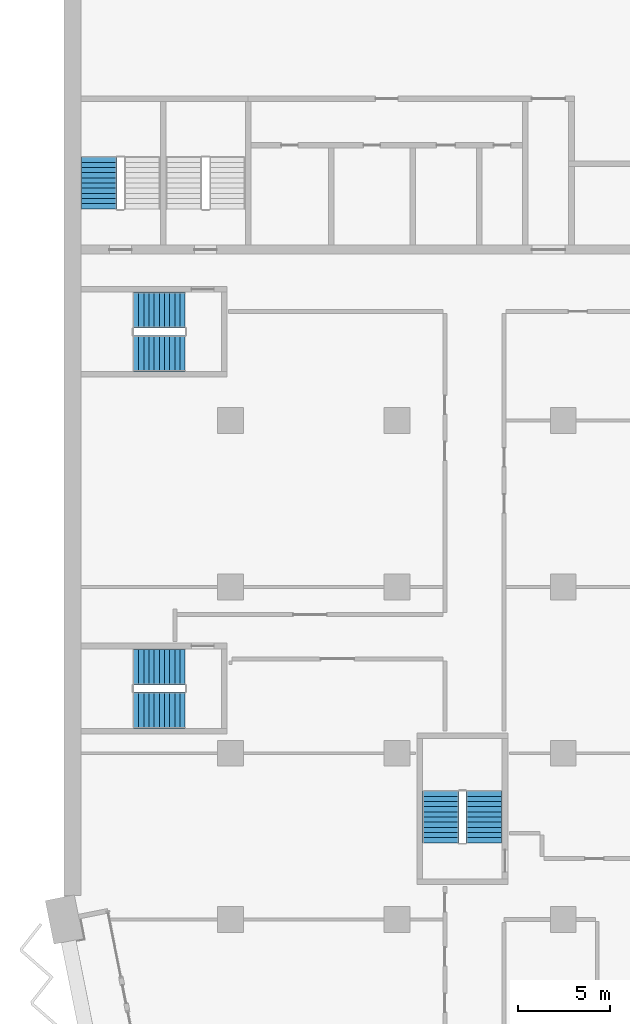
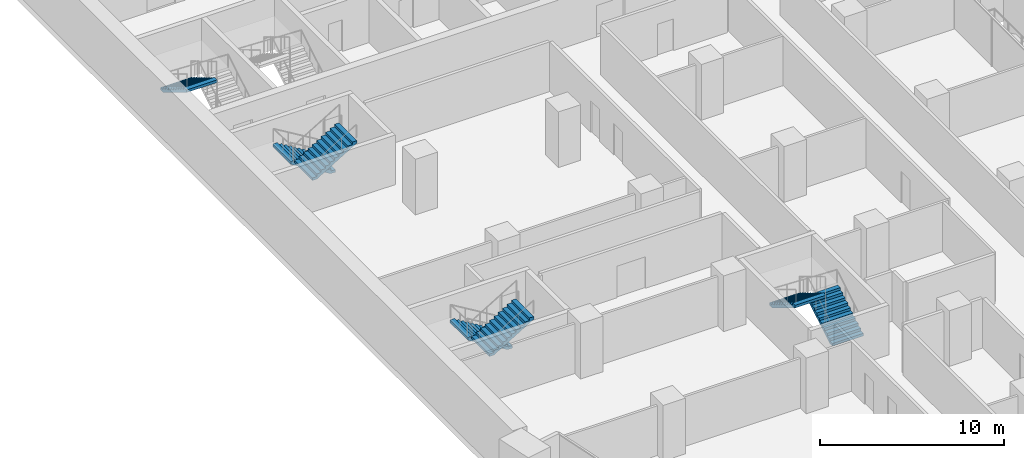
# One storey, part 19 of 28: 7 stair flights, 4 elements without a shape of their own.
"""IFC4 building model written with IfcOpenShell, lengths in metres."""

import ifcopenshell
import ifcopenshell.guid

model = None  # the IFC model being written
_history = None  # IfcOwnerHistory: only IFC2X3 demands one
_inside = {}  # id of a spatial element -> (the spatial element, [elements in it])
_under = {}  # id of a project, library or spatial element -> (it, [spatial elements below it])
_declared = {}  # id of a project -> (the project, [libraries it declares])
_typed = {}  # id of a type object -> (the type object, [elements of that type])
_made_of = {}  # id of a material, layer set ... -> (it, [elements and type objects made of it])


def new_model(schema):
    """Start an empty IFC model of exactly this schema.

    Asked for "IFC4X3", IfcOpenShell would pick the latest addendum, in which some entities
    have other attributes; the version numbers below select the first issue.
    IFC2X3 requires an IfcOwnerHistory on every rooted entity: one is made here for all.
    """
    global model, _history
    if schema == "IFC4X3":
        model = ifcopenshell.file(schema_version=(4, 3, 0, 0))
    else:
        model = ifcopenshell.file(schema=schema)
    _inside.clear()
    _under.clear()
    _declared.clear()
    _typed.clear()
    _made_of.clear()
    _history = None
    if model.schema == "IFC2X3":
        org = make("IfcOrganization", Name="unknown")
        user = make(
            "IfcPersonAndOrganization",
            ThePerson=make("IfcPerson", FamilyName="unknown"),
            TheOrganization=org,
        )
        app = make(
            "IfcApplication",
            ApplicationDeveloper=org,
            Version="unknown",
            ApplicationFullName="unknown",
            ApplicationIdentifier="unknown",
        )
        _history = make(
            "IfcOwnerHistory",
            OwningUser=user,
            OwningApplication=app,
            ChangeAction="ADDED",
            CreationDate=0,
        )
    return model


def make(cls, **values):
    """One entity of the class cls with the attributes given. An attribute that is None is left unset."""
    return model.create_entity(
        cls, **{name: value for name, value in values.items() if value is not None}
    )


def rooted(cls, **values):
    """An entity with a GlobalId (a new one), such as an element, a storey or a relation."""
    return make(cls, GlobalId=ifcopenshell.guid.new(), OwnerHistory=_history, **values)


def si_unit(unit_type, name, prefix=None):
    """IfcSIUnit, for example si_unit("LENGTHUNIT", "METRE", prefix="MILLI")."""
    return make("IfcSIUnit", UnitType=unit_type, Prefix=prefix, Name=name)


def assignment(units):
    """IfcUnitAssignment: the units of a project."""
    return None if units is None else make("IfcUnitAssignment", Units=units)


def point(xyz):
    """IfcCartesianPoint."""
    return None if xyz is None else make("IfcCartesianPoint", Coordinates=xyz)


def direction(xyz):
    """IfcDirection."""
    return None if xyz is None else make("IfcDirection", DirectionRatios=xyz)


def frame(location, z_axis=None, x_axis=None):
    """IfcAxis2Placement3D, a coordinate frame: its origin and axes. An axis left out is left unset."""
    return make(
        "IfcAxis2Placement3D",
        Location=point(location),
        Axis=direction(z_axis),
        RefDirection=direction(x_axis),
    )


def origin():
    """The frame at (0, 0, 0) with its axes left unset."""
    return frame((0.0, 0.0, 0.0))


def place(relative_to, where):
    """IfcLocalPlacement: puts the frame where relative to a parent placement (None: the world)."""
    return make(
        "IfcLocalPlacement", PlacementRelTo=relative_to, RelativePlacement=where
    )


def context(
    kind, dimensions, precision=None, world=None, true_north=None, identifier=None
):
    """IfcGeometricRepresentationContext, for example the 3D "Model" context."""
    return make(
        "IfcGeometricRepresentationContext",
        ContextIdentifier=identifier,
        ContextType=kind,
        CoordinateSpaceDimension=dimensions,
        Precision=precision,
        WorldCoordinateSystem=world,
        TrueNorth=true_north,
    )


def subcontext(parent, identifier, kind, view, scale=None):
    """IfcGeometricRepresentationSubContext, for example "Body" below "Model"."""
    return make(
        "IfcGeometricRepresentationSubContext",
        ContextIdentifier=identifier,
        ContextType=kind,
        ParentContext=parent,
        TargetScale=scale,
        TargetView=view,
    )


def project(units=None, contexts=None):
    """IfcProject with its units and contexts."""
    return rooted(
        "IfcProject",
        Name="project",
        RepresentationContexts=contexts,
        UnitsInContext=assignment(units),
    )


def spatial(cls, under=None, at=None, **own):
    """A site, building, storey or space (cls), placed at a placement, below another one or the project."""
    s = rooted(cls, ObjectPlacement=at, **own)
    if under is not None:
        _under.setdefault(under.id(), (under, []))[1].append(s)
    return s


def polyline(points):
    """IfcPolyline through the points."""
    return make("IfcPolyline", Points=[point(p) for p in points])


def outline(outer, holes=None, kind="AREA"):
    """IfcArbitraryClosedProfileDef: a profile drawn as a closed curve; with holes, ...WithVoids."""
    if holes is None:
        return make("IfcArbitraryClosedProfileDef", ProfileType=kind, OuterCurve=outer)
    return make(
        "IfcArbitraryProfileDefWithVoids",
        ProfileType=kind,
        OuterCurve=outer,
        InnerCurves=holes,
    )


def extrude(swept, where, along, depth):
    """IfcExtrudedAreaSolid: the profile swept, set in the frame where, extruded along a direction by depth."""
    return make(
        "IfcExtrudedAreaSolid",
        SweptArea=swept,
        Position=where,
        ExtrudedDirection=direction(along),
        Depth=depth,
    )


def shape(context_of_items, identifier, shape_type, items):
    """IfcShapeRepresentation: the items that make up one representation, for example the "Body"."""
    return make(
        "IfcShapeRepresentation",
        ContextOfItems=context_of_items,
        RepresentationIdentifier=identifier,
        RepresentationType=shape_type,
        Items=items,
    )


def material(Name=None, Category=None):
    """IfcMaterial."""
    return make("IfcMaterial", Name=Name, Category=Category)


def made_of(thing, what):
    """Note that an element or type object is made of a material, layer set ...; save() writes the relation."""
    if what is not None:
        _made_of.setdefault(what.id(), (what, []))[1].append(thing)
    return thing


def type_object(cls, material=None, **own):
    """A type object (cls), such as IfcWallType, which elements share."""
    return made_of(rooted(cls, **own), material)


def element(
    cls,
    number,
    at=None,
    inside=None,
    cuts=None,
    type_object=None,
    material=None,
    context=None,
    identifier="Body",
    shape_type=None,
    held_by="IfcProductDefinitionShape",
    body=None,
    shapes=None,
    **own,
):
    """One element of the class cls, such as IfcWall. Its Tag is "e" and its number.

    at: its placement. inside: the storey or other place that contains it. cuts: it is an
    opening in that element (IfcRelVoidsElement). A single representation is given by context,
    identifier, shape_type and body (its items); several are given by shapes. held_by: the class
    of the entity that holds the representations. save() writes the other relations.
    """
    e = rooted(cls, Tag="e%d" % number, ObjectPlacement=at, **own)
    if body is not None:
        shapes = [shape(context, identifier, shape_type, body)]
    if shapes is not None:
        e.Representation = make(held_by, Representations=shapes)
    if inside is not None:
        _inside.setdefault(inside.id(), (inside, []))[1].append(e)
    if cuts is not None:
        rooted(
            "IfcRelVoidsElement", RelatingBuildingElement=cuts, RelatedOpeningElement=e
        )
    if type_object is not None:
        _typed.setdefault(type_object.id(), (type_object, []))[1].append(e)
    return made_of(e, material)


def aggregate(whole, parts):
    """IfcRelAggregates: a whole, such as a stair, and the parts it consists of."""
    return rooted("IfcRelAggregates", RelatingObject=whole, RelatedObjects=parts)


def save(model, path):
    """Write the relations noted so far, then the file.

    IfcRelAggregates (storeys below a building ...), IfcRelContainedInSpatialStructure (elements
    in a storey), IfcRelDefinesByType, IfcRelAssociatesMaterial and IfcRelDeclares: one each for
    every whole, place, type object, material and project.
    """
    for whole, parts in _under.values():
        aggregate(whole, parts)
    for where, things in _inside.values():
        rooted(
            "IfcRelContainedInSpatialStructure",
            RelatedElements=things,
            RelatingStructure=where,
        )
    for kind, things in _typed.values():
        rooted("IfcRelDefinesByType", RelatedObjects=things, RelatingType=kind)
    for what, things in _made_of.values():
        rooted("IfcRelAssociatesMaterial", RelatedObjects=things, RelatingMaterial=what)
    for by, libraries in _declared.values():
        rooted("IfcRelDeclares", RelatingContext=by, RelatedDefinitions=libraries)
    model.write(path)


model = new_model("IFC4")

# Units and contexts
model_context = context("Model", 3, precision=1e-05, world=origin(), true_north=direction((0.0, 1.0)))
body_context = subcontext(model_context, "Body", "Model", "MODEL_VIEW")
ifc_project = project(units=[si_unit("LENGTHUNIT", "METRE"), si_unit("AREAUNIT", "SQUARE_METRE"), si_unit("VOLUMEUNIT", "CUBIC_METRE"), si_unit("PLANEANGLEUNIT", "RADIAN"), si_unit("MASSUNIT", "GRAM", prefix="KILO")], contexts=[model_context])

# Site, building, storey
site_placement = place(None, origin())
site = spatial("IfcSite", under=ifc_project, at=site_placement, CompositionType="ELEMENT")
building_placement = place(site_placement, origin())
building = spatial("IfcBuilding", under=site, at=building_placement, Name="Hunhe Ridgeline Campus", CompositionType="ELEMENT")
storey_placement = place(building_placement, frame((0.0, 0.0, 58.0)))
storey = spatial("IfcBuildingStorey", under=building, at=storey_placement, Name="L13", CompositionType="ELEMENT", Elevation=58.0)

# Stair, stair flight
ifc_material = material(Name="Concrete C40", Category="concrete")
stair_type = type_object("IfcStairType", Name="Reinforced concrete dog-leg stair 1950 Concrete C40", PredefinedType="HALF_TURN_STAIR", material=ifc_material)
stair_1_placement = place(storey_placement, origin())
stair_1 = element("IfcStair", 1, at=stair_1_placement, inside=storey, type_object=stair_type, Name="L13 S3", PredefinedType="HALF_TURN_STAIR")
stair_flight_type = type_object("IfcStairFlightType", Name="Reinforced concrete stair flight 1950 Concrete C40", PredefinedType="STRAIGHT", material=ifc_material)
stair_flight_1_placement = place(storey_placement, frame((1.875, 68.25, 1.85009765625), z_axis=(0.0, 0.0, 1.0), x_axis=(0.0, -1.0, 0.0)))
stair_flight_1 = element("IfcStairFlight", 2, at=stair_flight_1_placement, type_object=stair_flight_type, Name="ST3 flight 2", NumberOfRisers=11, NumberOfTreads=10, PredefinedType="STRAIGHT", RiserHeight=0.168181818, TreadLength=0.28, context=body_context, shape_type="SweptSolid", body=[
    extrude(outline(polyline([(0.0, 0.0), (0.0, 0.168212890625), (0.280029296875, 0.168212890625), (0.280029296875, 0.33642578125), (0.56005859375, 0.33642578125), (0.56005859375, 0.504638671875), (0.840087890625, 0.504638671875), (0.840087890625, 0.672607421875), (1.1201171875, 0.672607421875), (1.1201171875, 0.8408203125), (1.39990234375, 0.8408203125), (1.39990234375, 1.009033203125), (1.679931640625, 1.009033203125), (1.679931640625, 1.17724609375), (1.9599609375, 1.17724609375), (1.9599609375, 1.345458984375), (2.239990234375, 1.345458984375), (2.239990234375, 1.513671875), (2.52001953125, 1.513671875), (2.52001953125, 1.681884765625), (2.800048828125, 1.681884765625), (2.800048828125, 1.85009765625), (2.800048828125, 1.5068359375), (0.291015625, 0.0), (0.0, 0.0)])), frame((0.0, 0.97509765625, 0.0), z_axis=(0.0, -1.0, 0.0), x_axis=(1.0, 0.0, 0.0)), (0.0, 0.0, 1.0), 1.949951171875),
    extrude(outline(polyline([(0.030029296875, 0.030029296875), (0.030029296875, 0.13818359375), (0.31005859375, 0.13818359375), (0.31005859375, 0.306396484375), (0.590087890625, 0.306396484375), (0.590087890625, 0.474609375), (0.8701171875, 0.474609375), (0.8701171875, 0.642578125), (1.14990234375, 0.642578125), (1.14990234375, 0.810791015625), (1.429931640625, 0.810791015625), (1.429931640625, 0.97900390625), (1.7099609375, 0.97900390625), (1.7099609375, 1.147216796875), (1.989990234375, 1.147216796875), (1.989990234375, 1.3154296875), (2.27001953125, 1.3154296875), (2.27001953125, 1.483642578125), (2.550048828125, 1.483642578125), (2.550048828125, 1.65185546875), (2.77001953125, 1.65185546875), (2.77001953125, 1.52392578125), (0.28271484375, 0.030029296875), (0.030029296875, 0.030029296875)])), frame((0.0, -0.070068359375, 0.0), z_axis=(0.0, -1.0, 0.0), x_axis=(1.0, 0.0, 0.0)), (0.0, 0.0, 1.0), 0.019775390625),
    extrude(outline(polyline([(0.030029296875, 0.030029296875), (0.030029296875, 0.13818359375), (0.31005859375, 0.13818359375), (0.31005859375, 0.306396484375), (0.590087890625, 0.306396484375), (0.590087890625, 0.474609375), (0.8701171875, 0.474609375), (0.8701171875, 0.642578125), (1.14990234375, 0.642578125), (1.14990234375, 0.810791015625), (1.429931640625, 0.810791015625), (1.429931640625, 0.97900390625), (1.7099609375, 0.97900390625), (1.7099609375, 1.147216796875), (1.989990234375, 1.147216796875), (1.989990234375, 1.3154296875), (2.27001953125, 1.3154296875), (2.27001953125, 1.483642578125), (2.550048828125, 1.483642578125), (2.550048828125, 1.65185546875), (2.77001953125, 1.65185546875), (2.77001953125, 1.52392578125), (0.28271484375, 0.030029296875), (0.030029296875, 0.030029296875)])), frame((0.0, 0.010009765625, 0.0), z_axis=(0.0, -1.0, 0.0), x_axis=(1.0, 0.0, 0.0)), (0.0, 0.0, 1.0), 0.019775390625),
    extrude(outline(polyline([(0.030029296875, 0.030029296875), (0.030029296875, 0.13818359375), (0.31005859375, 0.13818359375), (0.31005859375, 0.306396484375), (0.590087890625, 0.306396484375), (0.590087890625, 0.474609375), (0.8701171875, 0.474609375), (0.8701171875, 0.642578125), (1.14990234375, 0.642578125), (1.14990234375, 0.810791015625), (1.429931640625, 0.810791015625), (1.429931640625, 0.97900390625), (1.7099609375, 0.97900390625), (1.7099609375, 1.147216796875), (1.989990234375, 1.147216796875), (1.989990234375, 1.3154296875), (2.27001953125, 1.3154296875), (2.27001953125, 1.483642578125), (2.550048828125, 1.483642578125), (2.550048828125, 1.65185546875), (2.77001953125, 1.65185546875), (2.77001953125, 1.52392578125), (0.28271484375, 0.030029296875), (0.030029296875, 0.030029296875)])), frame((0.0, 0.090087890625, 0.0), z_axis=(0.0, -1.0, 0.0), x_axis=(1.0, 0.0, 0.0)), (0.0, 0.0, 1.0), 0.019775390625),
])
aggregate(stair_1, [stair_flight_1])

# Stair, stair flights
stair_2_placement = place(storey_placement, origin())
stair_2 = element("IfcStair", 3, at=stair_2_placement, inside=storey, type_object=stair_type, Name="L13 W3", PredefinedType="HALF_TURN_STAIR")
stair_flight_2_placement = place(storey_placement, frame((22.72509765625, 31.14990234375, 0.0), z_axis=(0.0, 0.0, 1.0), x_axis=(0.0, 1.0, 0.0)))
stair_flight_2 = element("IfcStairFlight", 4, at=stair_flight_2_placement, type_object=stair_flight_type, Name="ST9 flight 1", NumberOfRisers=11, NumberOfTreads=10, PredefinedType="STRAIGHT", RiserHeight=0.168181818, TreadLength=0.28, context=body_context, shape_type="SweptSolid", body=[
    extrude(outline(polyline([(0.0, 0.0), (0.0, 0.168212890625), (0.280029296875, 0.168212890625), (0.280029296875, 0.33642578125), (0.56005859375, 0.33642578125), (0.56005859375, 0.504638671875), (0.840087890625, 0.504638671875), (0.840087890625, 0.672607421875), (1.1201171875, 0.672607421875), (1.1201171875, 0.8408203125), (1.39990234375, 0.8408203125), (1.39990234375, 1.009033203125), (1.679931640625, 1.009033203125), (1.679931640625, 1.17724609375), (1.9599609375, 1.17724609375), (1.9599609375, 1.345458984375), (2.239990234375, 1.345458984375), (2.239990234375, 1.513671875), (2.52001953125, 1.513671875), (2.52001953125, 1.681884765625), (2.800048828125, 1.681884765625), (2.800048828125, 1.85009765625), (2.800048828125, 1.5068359375), (0.291015625, 0.0), (0.0, 0.0)])), frame((0.0, 0.97509765625, 0.0), z_axis=(0.0, -1.0, 0.0), x_axis=(1.0, 0.0, 0.0)), (0.0, 0.0, 1.0), 1.949951171875),
    extrude(outline(polyline([(0.030029296875, 0.030029296875), (0.030029296875, 0.13818359375), (0.31005859375, 0.13818359375), (0.31005859375, 0.306396484375), (0.590087890625, 0.306396484375), (0.590087890625, 0.474609375), (0.8701171875, 0.474609375), (0.8701171875, 0.642578125), (1.14990234375, 0.642578125), (1.14990234375, 0.810791015625), (1.429931640625, 0.810791015625), (1.429931640625, 0.97900390625), (1.7099609375, 0.97900390625), (1.7099609375, 1.147216796875), (1.989990234375, 1.147216796875), (1.989990234375, 1.3154296875), (2.27001953125, 1.3154296875), (2.27001953125, 1.483642578125), (2.550048828125, 1.483642578125), (2.550048828125, 1.65185546875), (2.77001953125, 1.65185546875), (2.77001953125, 1.52392578125), (0.28271484375, 0.030029296875), (0.030029296875, 0.030029296875)])), frame((0.0, -0.070068359375, 0.0), z_axis=(0.0, -1.0, 0.0), x_axis=(1.0, 0.0, 0.0)), (0.0, 0.0, 1.0), 0.019775390625),
    extrude(outline(polyline([(0.030029296875, 0.030029296875), (0.030029296875, 0.13818359375), (0.31005859375, 0.13818359375), (0.31005859375, 0.306396484375), (0.590087890625, 0.306396484375), (0.590087890625, 0.474609375), (0.8701171875, 0.474609375), (0.8701171875, 0.642578125), (1.14990234375, 0.642578125), (1.14990234375, 0.810791015625), (1.429931640625, 0.810791015625), (1.429931640625, 0.97900390625), (1.7099609375, 0.97900390625), (1.7099609375, 1.147216796875), (1.989990234375, 1.147216796875), (1.989990234375, 1.3154296875), (2.27001953125, 1.3154296875), (2.27001953125, 1.483642578125), (2.550048828125, 1.483642578125), (2.550048828125, 1.65185546875), (2.77001953125, 1.65185546875), (2.77001953125, 1.52392578125), (0.28271484375, 0.030029296875), (0.030029296875, 0.030029296875)])), frame((0.0, 0.010009765625, 0.0), z_axis=(0.0, -1.0, 0.0), x_axis=(1.0, 0.0, 0.0)), (0.0, 0.0, 1.0), 0.019775390625),
    extrude(outline(polyline([(0.030029296875, 0.030029296875), (0.030029296875, 0.13818359375), (0.31005859375, 0.13818359375), (0.31005859375, 0.306396484375), (0.590087890625, 0.306396484375), (0.590087890625, 0.474609375), (0.8701171875, 0.474609375), (0.8701171875, 0.642578125), (1.14990234375, 0.642578125), (1.14990234375, 0.810791015625), (1.429931640625, 0.810791015625), (1.429931640625, 0.97900390625), (1.7099609375, 0.97900390625), (1.7099609375, 1.147216796875), (1.989990234375, 1.147216796875), (1.989990234375, 1.3154296875), (2.27001953125, 1.3154296875), (2.27001953125, 1.483642578125), (2.550048828125, 1.483642578125), (2.550048828125, 1.65185546875), (2.77001953125, 1.65185546875), (2.77001953125, 1.52392578125), (0.28271484375, 0.030029296875), (0.030029296875, 0.030029296875)])), frame((0.0, 0.090087890625, 0.0), z_axis=(0.0, -1.0, 0.0), x_axis=(1.0, 0.0, 0.0)), (0.0, 0.0, 1.0), 0.019775390625),
])
stair_flight_3_placement = place(storey_placement, frame((20.375, 33.949951171875, 1.85009765625), z_axis=(0.0, 0.0, 1.0), x_axis=(0.0, -1.0, 0.0)))
stair_flight_3 = element("IfcStairFlight", 5, at=stair_flight_3_placement, type_object=stair_flight_type, Name="ST9 flight 2", NumberOfRisers=11, NumberOfTreads=10, PredefinedType="STRAIGHT", RiserHeight=0.168181818, TreadLength=0.28, context=body_context, shape_type="SweptSolid", body=[
    extrude(outline(polyline([(0.0, 0.0), (0.0, 0.168212890625), (0.280029296875, 0.168212890625), (0.280029296875, 0.33642578125), (0.56005859375, 0.33642578125), (0.56005859375, 0.504638671875), (0.840087890625, 0.504638671875), (0.840087890625, 0.672607421875), (1.1201171875, 0.672607421875), (1.1201171875, 0.8408203125), (1.39990234375, 0.8408203125), (1.39990234375, 1.009033203125), (1.679931640625, 1.009033203125), (1.679931640625, 1.17724609375), (1.9599609375, 1.17724609375), (1.9599609375, 1.345458984375), (2.239990234375, 1.345458984375), (2.239990234375, 1.513671875), (2.52001953125, 1.513671875), (2.52001953125, 1.681884765625), (2.800048828125, 1.681884765625), (2.800048828125, 1.85009765625), (2.800048828125, 1.5068359375), (0.291015625, 0.0), (0.0, 0.0)])), frame((0.0, 0.97509765625, 0.0), z_axis=(0.0, -1.0, 0.0), x_axis=(1.0, 0.0, 0.0)), (0.0, 0.0, 1.0), 1.949951171875),
    extrude(outline(polyline([(0.030029296875, 0.030029296875), (0.030029296875, 0.13818359375), (0.31005859375, 0.13818359375), (0.31005859375, 0.306396484375), (0.590087890625, 0.306396484375), (0.590087890625, 0.474609375), (0.8701171875, 0.474609375), (0.8701171875, 0.642578125), (1.14990234375, 0.642578125), (1.14990234375, 0.810791015625), (1.429931640625, 0.810791015625), (1.429931640625, 0.97900390625), (1.7099609375, 0.97900390625), (1.7099609375, 1.147216796875), (1.989990234375, 1.147216796875), (1.989990234375, 1.3154296875), (2.27001953125, 1.3154296875), (2.27001953125, 1.483642578125), (2.550048828125, 1.483642578125), (2.550048828125, 1.65185546875), (2.77001953125, 1.65185546875), (2.77001953125, 1.52392578125), (0.28271484375, 0.030029296875), (0.030029296875, 0.030029296875)])), frame((0.0, -0.070068359375, 0.0), z_axis=(0.0, -1.0, 0.0), x_axis=(1.0, 0.0, 0.0)), (0.0, 0.0, 1.0), 0.019775390625),
    extrude(outline(polyline([(0.030029296875, 0.030029296875), (0.030029296875, 0.13818359375), (0.31005859375, 0.13818359375), (0.31005859375, 0.306396484375), (0.590087890625, 0.306396484375), (0.590087890625, 0.474609375), (0.8701171875, 0.474609375), (0.8701171875, 0.642578125), (1.14990234375, 0.642578125), (1.14990234375, 0.810791015625), (1.429931640625, 0.810791015625), (1.429931640625, 0.97900390625), (1.7099609375, 0.97900390625), (1.7099609375, 1.147216796875), (1.989990234375, 1.147216796875), (1.989990234375, 1.3154296875), (2.27001953125, 1.3154296875), (2.27001953125, 1.483642578125), (2.550048828125, 1.483642578125), (2.550048828125, 1.65185546875), (2.77001953125, 1.65185546875), (2.77001953125, 1.52392578125), (0.28271484375, 0.030029296875), (0.030029296875, 0.030029296875)])), frame((0.0, 0.010009765625, 0.0), z_axis=(0.0, -1.0, 0.0), x_axis=(1.0, 0.0, 0.0)), (0.0, 0.0, 1.0), 0.019775390625),
    extrude(outline(polyline([(0.030029296875, 0.030029296875), (0.030029296875, 0.13818359375), (0.31005859375, 0.13818359375), (0.31005859375, 0.306396484375), (0.590087890625, 0.306396484375), (0.590087890625, 0.474609375), (0.8701171875, 0.474609375), (0.8701171875, 0.642578125), (1.14990234375, 0.642578125), (1.14990234375, 0.810791015625), (1.429931640625, 0.810791015625), (1.429931640625, 0.97900390625), (1.7099609375, 0.97900390625), (1.7099609375, 1.147216796875), (1.989990234375, 1.147216796875), (1.989990234375, 1.3154296875), (2.27001953125, 1.3154296875), (2.27001953125, 1.483642578125), (2.550048828125, 1.483642578125), (2.550048828125, 1.65185546875), (2.77001953125, 1.65185546875), (2.77001953125, 1.52392578125), (0.28271484375, 0.030029296875), (0.030029296875, 0.030029296875)])), frame((0.0, 0.090087890625, 0.0), z_axis=(0.0, -1.0, 0.0), x_axis=(1.0, 0.0, 0.0)), (0.0, 0.0, 1.0), 0.019775390625),
])
aggregate(stair_2, [stair_flight_2, stair_flight_3])

stair_3_placement = place(storey_placement, origin())
stair_3 = element("IfcStair", 6, at=stair_3_placement, inside=storey, type_object=stair_type, Name="L13 W1", PredefinedType="HALF_TURN_STAIR")
stair_flight_4_placement = place(storey_placement, frame((6.550048828125, 40.675048828125, 0.0), z_axis=(0.0, 0.0, 1.0), x_axis=(-1.0, 0.0, 0.0)))
stair_flight_4 = element("IfcStairFlight", 7, at=stair_flight_4_placement, type_object=stair_flight_type, Name="ST11 flight 1", NumberOfRisers=11, NumberOfTreads=10, PredefinedType="STRAIGHT", RiserHeight=0.168181818, TreadLength=0.28, context=body_context, shape_type="SweptSolid", body=[
    extrude(outline(polyline([(0.0, 0.0), (0.0, 0.168212890625), (0.280029296875, 0.168212890625), (0.280029296875, 0.33642578125), (0.56005859375, 0.33642578125), (0.56005859375, 0.504638671875), (0.840087890625, 0.504638671875), (0.840087890625, 0.672607421875), (1.1201171875, 0.672607421875), (1.1201171875, 0.8408203125), (1.39990234375, 0.8408203125), (1.39990234375, 1.009033203125), (1.679931640625, 1.009033203125), (1.679931640625, 1.17724609375), (1.9599609375, 1.17724609375), (1.9599609375, 1.345458984375), (2.239990234375, 1.345458984375), (2.239990234375, 1.513671875), (2.52001953125, 1.513671875), (2.52001953125, 1.681884765625), (2.800048828125, 1.681884765625), (2.800048828125, 1.85009765625), (2.800048828125, 1.5068359375), (0.291015625, 0.0), (0.0, 0.0)])), frame((0.0, 0.97509765625, 0.0), z_axis=(0.0, -1.0, 0.0), x_axis=(1.0, 0.0, 0.0)), (0.0, 0.0, 1.0), 1.949951171875),
    extrude(outline(polyline([(0.030029296875, 0.030029296875), (0.030029296875, 0.13818359375), (0.31005859375, 0.13818359375), (0.31005859375, 0.306396484375), (0.590087890625, 0.306396484375), (0.590087890625, 0.474609375), (0.8701171875, 0.474609375), (0.8701171875, 0.642578125), (1.14990234375, 0.642578125), (1.14990234375, 0.810791015625), (1.429931640625, 0.810791015625), (1.429931640625, 0.97900390625), (1.7099609375, 0.97900390625), (1.7099609375, 1.147216796875), (1.989990234375, 1.147216796875), (1.989990234375, 1.3154296875), (2.27001953125, 1.3154296875), (2.27001953125, 1.483642578125), (2.550048828125, 1.483642578125), (2.550048828125, 1.65185546875), (2.77001953125, 1.65185546875), (2.77001953125, 1.52392578125), (0.28271484375, 0.030029296875), (0.030029296875, 0.030029296875)])), frame((0.0, -0.070068359375, 0.0), z_axis=(0.0, -1.0, 0.0), x_axis=(1.0, 0.0, 0.0)), (0.0, 0.0, 1.0), 0.019775390625),
    extrude(outline(polyline([(0.030029296875, 0.030029296875), (0.030029296875, 0.13818359375), (0.31005859375, 0.13818359375), (0.31005859375, 0.306396484375), (0.590087890625, 0.306396484375), (0.590087890625, 0.474609375), (0.8701171875, 0.474609375), (0.8701171875, 0.642578125), (1.14990234375, 0.642578125), (1.14990234375, 0.810791015625), (1.429931640625, 0.810791015625), (1.429931640625, 0.97900390625), (1.7099609375, 0.97900390625), (1.7099609375, 1.147216796875), (1.989990234375, 1.147216796875), (1.989990234375, 1.3154296875), (2.27001953125, 1.3154296875), (2.27001953125, 1.483642578125), (2.550048828125, 1.483642578125), (2.550048828125, 1.65185546875), (2.77001953125, 1.65185546875), (2.77001953125, 1.52392578125), (0.28271484375, 0.030029296875), (0.030029296875, 0.030029296875)])), frame((0.0, 0.010009765625, 0.0), z_axis=(0.0, -1.0, 0.0), x_axis=(1.0, 0.0, 0.0)), (0.0, 0.0, 1.0), 0.019775390625),
    extrude(outline(polyline([(0.030029296875, 0.030029296875), (0.030029296875, 0.13818359375), (0.31005859375, 0.13818359375), (0.31005859375, 0.306396484375), (0.590087890625, 0.306396484375), (0.590087890625, 0.474609375), (0.8701171875, 0.474609375), (0.8701171875, 0.642578125), (1.14990234375, 0.642578125), (1.14990234375, 0.810791015625), (1.429931640625, 0.810791015625), (1.429931640625, 0.97900390625), (1.7099609375, 0.97900390625), (1.7099609375, 1.147216796875), (1.989990234375, 1.147216796875), (1.989990234375, 1.3154296875), (2.27001953125, 1.3154296875), (2.27001953125, 1.483642578125), (2.550048828125, 1.483642578125), (2.550048828125, 1.65185546875), (2.77001953125, 1.65185546875), (2.77001953125, 1.52392578125), (0.28271484375, 0.030029296875), (0.030029296875, 0.030029296875)])), frame((0.0, 0.090087890625, 0.0), z_axis=(0.0, -1.0, 0.0), x_axis=(1.0, 0.0, 0.0)), (0.0, 0.0, 1.0), 0.019775390625),
])
stair_flight_5_placement = place(storey_placement, frame((3.75, 38.324951171875, 1.85009765625), z_axis=(0.0, 0.0, 1.0), x_axis=(1.0, 0.0, 0.0)))
stair_flight_5 = element("IfcStairFlight", 8, at=stair_flight_5_placement, type_object=stair_flight_type, Name="ST11 flight 2", NumberOfRisers=11, NumberOfTreads=10, PredefinedType="STRAIGHT", RiserHeight=0.168181818, TreadLength=0.28, context=body_context, shape_type="SweptSolid", body=[
    extrude(outline(polyline([(0.0, 0.0), (0.0, 0.168212890625), (0.280029296875, 0.168212890625), (0.280029296875, 0.33642578125), (0.56005859375, 0.33642578125), (0.56005859375, 0.504638671875), (0.840087890625, 0.504638671875), (0.840087890625, 0.672607421875), (1.1201171875, 0.672607421875), (1.1201171875, 0.8408203125), (1.39990234375, 0.8408203125), (1.39990234375, 1.009033203125), (1.679931640625, 1.009033203125), (1.679931640625, 1.17724609375), (1.9599609375, 1.17724609375), (1.9599609375, 1.345458984375), (2.239990234375, 1.345458984375), (2.239990234375, 1.513671875), (2.52001953125, 1.513671875), (2.52001953125, 1.681884765625), (2.800048828125, 1.681884765625), (2.800048828125, 1.85009765625), (2.800048828125, 1.5068359375), (0.291015625, 0.0), (0.0, 0.0)])), frame((0.0, 0.97509765625, 0.0), z_axis=(0.0, -1.0, 0.0), x_axis=(1.0, 0.0, 0.0)), (0.0, 0.0, 1.0), 1.949951171875),
    extrude(outline(polyline([(0.030029296875, 0.030029296875), (0.030029296875, 0.13818359375), (0.31005859375, 0.13818359375), (0.31005859375, 0.306396484375), (0.590087890625, 0.306396484375), (0.590087890625, 0.474609375), (0.8701171875, 0.474609375), (0.8701171875, 0.642578125), (1.14990234375, 0.642578125), (1.14990234375, 0.810791015625), (1.429931640625, 0.810791015625), (1.429931640625, 0.97900390625), (1.7099609375, 0.97900390625), (1.7099609375, 1.147216796875), (1.989990234375, 1.147216796875), (1.989990234375, 1.3154296875), (2.27001953125, 1.3154296875), (2.27001953125, 1.483642578125), (2.550048828125, 1.483642578125), (2.550048828125, 1.65185546875), (2.77001953125, 1.65185546875), (2.77001953125, 1.52392578125), (0.28271484375, 0.030029296875), (0.030029296875, 0.030029296875)])), frame((0.0, -0.070068359375, 0.0), z_axis=(0.0, -1.0, 0.0), x_axis=(1.0, 0.0, 0.0)), (0.0, 0.0, 1.0), 0.019775390625),
    extrude(outline(polyline([(0.030029296875, 0.030029296875), (0.030029296875, 0.13818359375), (0.31005859375, 0.13818359375), (0.31005859375, 0.306396484375), (0.590087890625, 0.306396484375), (0.590087890625, 0.474609375), (0.8701171875, 0.474609375), (0.8701171875, 0.642578125), (1.14990234375, 0.642578125), (1.14990234375, 0.810791015625), (1.429931640625, 0.810791015625), (1.429931640625, 0.97900390625), (1.7099609375, 0.97900390625), (1.7099609375, 1.147216796875), (1.989990234375, 1.147216796875), (1.989990234375, 1.3154296875), (2.27001953125, 1.3154296875), (2.27001953125, 1.483642578125), (2.550048828125, 1.483642578125), (2.550048828125, 1.65185546875), (2.77001953125, 1.65185546875), (2.77001953125, 1.52392578125), (0.28271484375, 0.030029296875), (0.030029296875, 0.030029296875)])), frame((0.0, 0.010009765625, 0.0), z_axis=(0.0, -1.0, 0.0), x_axis=(1.0, 0.0, 0.0)), (0.0, 0.0, 1.0), 0.019775390625),
    extrude(outline(polyline([(0.030029296875, 0.030029296875), (0.030029296875, 0.13818359375), (0.31005859375, 0.13818359375), (0.31005859375, 0.306396484375), (0.590087890625, 0.306396484375), (0.590087890625, 0.474609375), (0.8701171875, 0.474609375), (0.8701171875, 0.642578125), (1.14990234375, 0.642578125), (1.14990234375, 0.810791015625), (1.429931640625, 0.810791015625), (1.429931640625, 0.97900390625), (1.7099609375, 0.97900390625), (1.7099609375, 1.147216796875), (1.989990234375, 1.147216796875), (1.989990234375, 1.3154296875), (2.27001953125, 1.3154296875), (2.27001953125, 1.483642578125), (2.550048828125, 1.483642578125), (2.550048828125, 1.65185546875), (2.77001953125, 1.65185546875), (2.77001953125, 1.52392578125), (0.28271484375, 0.030029296875), (0.030029296875, 0.030029296875)])), frame((0.0, 0.090087890625, 0.0), z_axis=(0.0, -1.0, 0.0), x_axis=(1.0, 0.0, 0.0)), (0.0, 0.0, 1.0), 0.019775390625),
])
aggregate(stair_3, [stair_flight_4, stair_flight_5])

stair_4_placement = place(storey_placement, origin())
stair_4 = element("IfcStair", 9, at=stair_4_placement, inside=storey, type_object=stair_type, Name="L13 W2", PredefinedType="HALF_TURN_STAIR")
stair_flight_6_placement = place(storey_placement, frame((6.550048828125, 59.97509765625, 0.0), z_axis=(0.0, 0.0, 1.0), x_axis=(-1.0, 0.0, 0.0)))
stair_flight_6 = element("IfcStairFlight", 10, at=stair_flight_6_placement, type_object=stair_flight_type, Name="ST12 flight 1", NumberOfRisers=11, NumberOfTreads=10, PredefinedType="STRAIGHT", RiserHeight=0.168181818, TreadLength=0.28, context=body_context, shape_type="SweptSolid", body=[
    extrude(outline(polyline([(0.0, 0.0), (0.0, 0.168212890625), (0.280029296875, 0.168212890625), (0.280029296875, 0.33642578125), (0.56005859375, 0.33642578125), (0.56005859375, 0.504638671875), (0.840087890625, 0.504638671875), (0.840087890625, 0.672607421875), (1.1201171875, 0.672607421875), (1.1201171875, 0.8408203125), (1.39990234375, 0.8408203125), (1.39990234375, 1.009033203125), (1.679931640625, 1.009033203125), (1.679931640625, 1.17724609375), (1.9599609375, 1.17724609375), (1.9599609375, 1.345458984375), (2.239990234375, 1.345458984375), (2.239990234375, 1.513671875), (2.52001953125, 1.513671875), (2.52001953125, 1.681884765625), (2.800048828125, 1.681884765625), (2.800048828125, 1.85009765625), (2.800048828125, 1.5068359375), (0.291015625, 0.0), (0.0, 0.0)])), frame((0.0, 0.97509765625, 0.0), z_axis=(0.0, -1.0, 0.0), x_axis=(1.0, 0.0, 0.0)), (0.0, 0.0, 1.0), 1.949951171875),
    extrude(outline(polyline([(0.030029296875, 0.030029296875), (0.030029296875, 0.13818359375), (0.31005859375, 0.13818359375), (0.31005859375, 0.306396484375), (0.590087890625, 0.306396484375), (0.590087890625, 0.474609375), (0.8701171875, 0.474609375), (0.8701171875, 0.642578125), (1.14990234375, 0.642578125), (1.14990234375, 0.810791015625), (1.429931640625, 0.810791015625), (1.429931640625, 0.97900390625), (1.7099609375, 0.97900390625), (1.7099609375, 1.147216796875), (1.989990234375, 1.147216796875), (1.989990234375, 1.3154296875), (2.27001953125, 1.3154296875), (2.27001953125, 1.483642578125), (2.550048828125, 1.483642578125), (2.550048828125, 1.65185546875), (2.77001953125, 1.65185546875), (2.77001953125, 1.52392578125), (0.28271484375, 0.030029296875), (0.030029296875, 0.030029296875)])), frame((0.0, -0.070068359375, 0.0), z_axis=(0.0, -1.0, 0.0), x_axis=(1.0, 0.0, 0.0)), (0.0, 0.0, 1.0), 0.019775390625),
    extrude(outline(polyline([(0.030029296875, 0.030029296875), (0.030029296875, 0.13818359375), (0.31005859375, 0.13818359375), (0.31005859375, 0.306396484375), (0.590087890625, 0.306396484375), (0.590087890625, 0.474609375), (0.8701171875, 0.474609375), (0.8701171875, 0.642578125), (1.14990234375, 0.642578125), (1.14990234375, 0.810791015625), (1.429931640625, 0.810791015625), (1.429931640625, 0.97900390625), (1.7099609375, 0.97900390625), (1.7099609375, 1.147216796875), (1.989990234375, 1.147216796875), (1.989990234375, 1.3154296875), (2.27001953125, 1.3154296875), (2.27001953125, 1.483642578125), (2.550048828125, 1.483642578125), (2.550048828125, 1.65185546875), (2.77001953125, 1.65185546875), (2.77001953125, 1.52392578125), (0.28271484375, 0.030029296875), (0.030029296875, 0.030029296875)])), frame((0.0, 0.010009765625, 0.0), z_axis=(0.0, -1.0, 0.0), x_axis=(1.0, 0.0, 0.0)), (0.0, 0.0, 1.0), 0.019775390625),
    extrude(outline(polyline([(0.030029296875, 0.030029296875), (0.030029296875, 0.13818359375), (0.31005859375, 0.13818359375), (0.31005859375, 0.306396484375), (0.590087890625, 0.306396484375), (0.590087890625, 0.474609375), (0.8701171875, 0.474609375), (0.8701171875, 0.642578125), (1.14990234375, 0.642578125), (1.14990234375, 0.810791015625), (1.429931640625, 0.810791015625), (1.429931640625, 0.97900390625), (1.7099609375, 0.97900390625), (1.7099609375, 1.147216796875), (1.989990234375, 1.147216796875), (1.989990234375, 1.3154296875), (2.27001953125, 1.3154296875), (2.27001953125, 1.483642578125), (2.550048828125, 1.483642578125), (2.550048828125, 1.65185546875), (2.77001953125, 1.65185546875), (2.77001953125, 1.52392578125), (0.28271484375, 0.030029296875), (0.030029296875, 0.030029296875)])), frame((0.0, 0.090087890625, 0.0), z_axis=(0.0, -1.0, 0.0), x_axis=(1.0, 0.0, 0.0)), (0.0, 0.0, 1.0), 0.019775390625),
])
stair_flight_7_placement = place(storey_placement, frame((3.75, 57.625, 1.85009765625), z_axis=(0.0, 0.0, 1.0), x_axis=(1.0, 0.0, 0.0)))
stair_flight_7 = element("IfcStairFlight", 11, at=stair_flight_7_placement, type_object=stair_flight_type, Name="ST12 flight 2", NumberOfRisers=11, NumberOfTreads=10, PredefinedType="STRAIGHT", RiserHeight=0.168181818, TreadLength=0.28, context=body_context, shape_type="SweptSolid", body=[
    extrude(outline(polyline([(0.0, 0.0), (0.0, 0.168212890625), (0.280029296875, 0.168212890625), (0.280029296875, 0.33642578125), (0.56005859375, 0.33642578125), (0.56005859375, 0.504638671875), (0.840087890625, 0.504638671875), (0.840087890625, 0.672607421875), (1.1201171875, 0.672607421875), (1.1201171875, 0.8408203125), (1.39990234375, 0.8408203125), (1.39990234375, 1.009033203125), (1.679931640625, 1.009033203125), (1.679931640625, 1.17724609375), (1.9599609375, 1.17724609375), (1.9599609375, 1.345458984375), (2.239990234375, 1.345458984375), (2.239990234375, 1.513671875), (2.52001953125, 1.513671875), (2.52001953125, 1.681884765625), (2.800048828125, 1.681884765625), (2.800048828125, 1.85009765625), (2.800048828125, 1.5068359375), (0.291015625, 0.0), (0.0, 0.0)])), frame((0.0, 0.97509765625, 0.0), z_axis=(0.0, -1.0, 0.0), x_axis=(1.0, 0.0, 0.0)), (0.0, 0.0, 1.0), 1.949951171875),
    extrude(outline(polyline([(0.030029296875, 0.030029296875), (0.030029296875, 0.13818359375), (0.31005859375, 0.13818359375), (0.31005859375, 0.306396484375), (0.590087890625, 0.306396484375), (0.590087890625, 0.474609375), (0.8701171875, 0.474609375), (0.8701171875, 0.642578125), (1.14990234375, 0.642578125), (1.14990234375, 0.810791015625), (1.429931640625, 0.810791015625), (1.429931640625, 0.97900390625), (1.7099609375, 0.97900390625), (1.7099609375, 1.147216796875), (1.989990234375, 1.147216796875), (1.989990234375, 1.3154296875), (2.27001953125, 1.3154296875), (2.27001953125, 1.483642578125), (2.550048828125, 1.483642578125), (2.550048828125, 1.65185546875), (2.77001953125, 1.65185546875), (2.77001953125, 1.52392578125), (0.28271484375, 0.030029296875), (0.030029296875, 0.030029296875)])), frame((0.0, -0.070068359375, 0.0), z_axis=(0.0, -1.0, 0.0), x_axis=(1.0, 0.0, 0.0)), (0.0, 0.0, 1.0), 0.019775390625),
    extrude(outline(polyline([(0.030029296875, 0.030029296875), (0.030029296875, 0.13818359375), (0.31005859375, 0.13818359375), (0.31005859375, 0.306396484375), (0.590087890625, 0.306396484375), (0.590087890625, 0.474609375), (0.8701171875, 0.474609375), (0.8701171875, 0.642578125), (1.14990234375, 0.642578125), (1.14990234375, 0.810791015625), (1.429931640625, 0.810791015625), (1.429931640625, 0.97900390625), (1.7099609375, 0.97900390625), (1.7099609375, 1.147216796875), (1.989990234375, 1.147216796875), (1.989990234375, 1.3154296875), (2.27001953125, 1.3154296875), (2.27001953125, 1.483642578125), (2.550048828125, 1.483642578125), (2.550048828125, 1.65185546875), (2.77001953125, 1.65185546875), (2.77001953125, 1.52392578125), (0.28271484375, 0.030029296875), (0.030029296875, 0.030029296875)])), frame((0.0, 0.010009765625, 0.0), z_axis=(0.0, -1.0, 0.0), x_axis=(1.0, 0.0, 0.0)), (0.0, 0.0, 1.0), 0.019775390625),
    extrude(outline(polyline([(0.030029296875, 0.030029296875), (0.030029296875, 0.13818359375), (0.31005859375, 0.13818359375), (0.31005859375, 0.306396484375), (0.590087890625, 0.306396484375), (0.590087890625, 0.474609375), (0.8701171875, 0.474609375), (0.8701171875, 0.642578125), (1.14990234375, 0.642578125), (1.14990234375, 0.810791015625), (1.429931640625, 0.810791015625), (1.429931640625, 0.97900390625), (1.7099609375, 0.97900390625), (1.7099609375, 1.147216796875), (1.989990234375, 1.147216796875), (1.989990234375, 1.3154296875), (2.27001953125, 1.3154296875), (2.27001953125, 1.483642578125), (2.550048828125, 1.483642578125), (2.550048828125, 1.65185546875), (2.77001953125, 1.65185546875), (2.77001953125, 1.52392578125), (0.28271484375, 0.030029296875), (0.030029296875, 0.030029296875)])), frame((0.0, 0.090087890625, 0.0), z_axis=(0.0, -1.0, 0.0), x_axis=(1.0, 0.0, 0.0)), (0.0, 0.0, 1.0), 0.019775390625),
])
aggregate(stair_4, [stair_flight_6, stair_flight_7])

save(model, "model.ifc")
